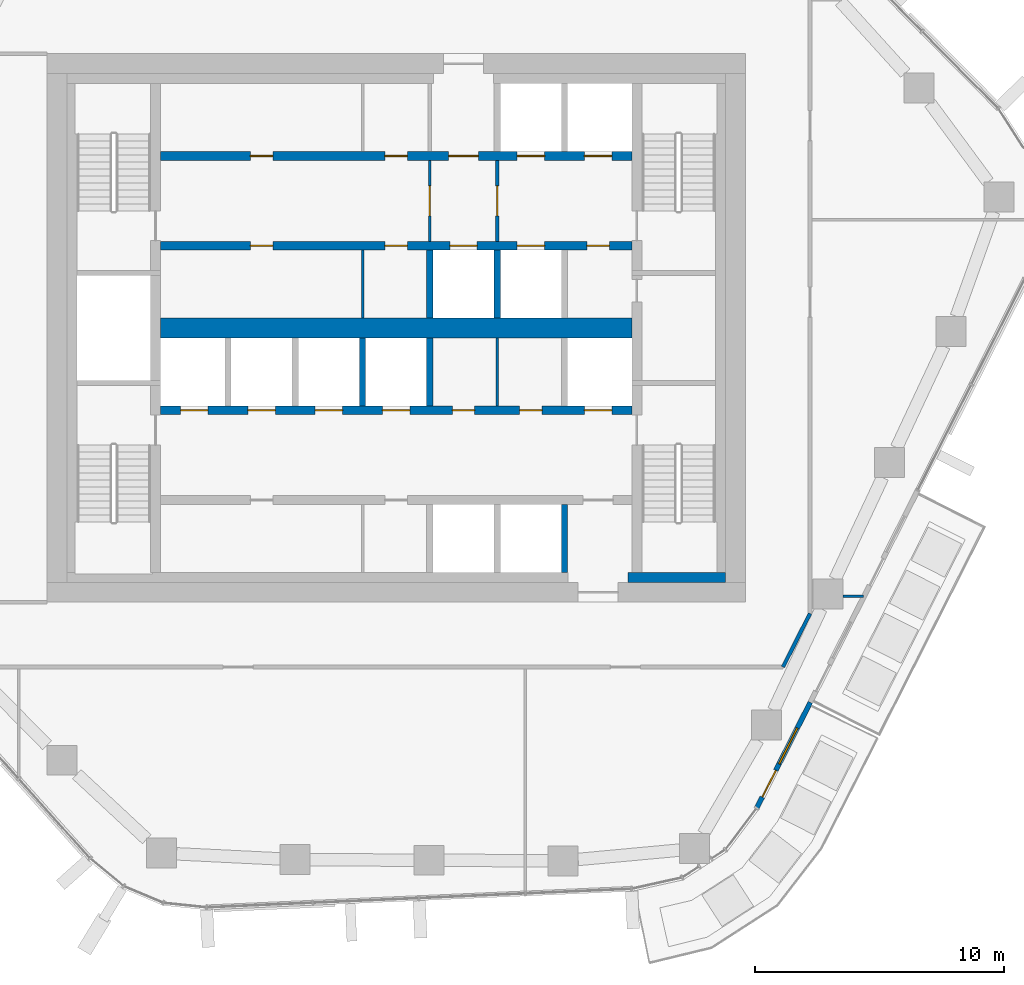
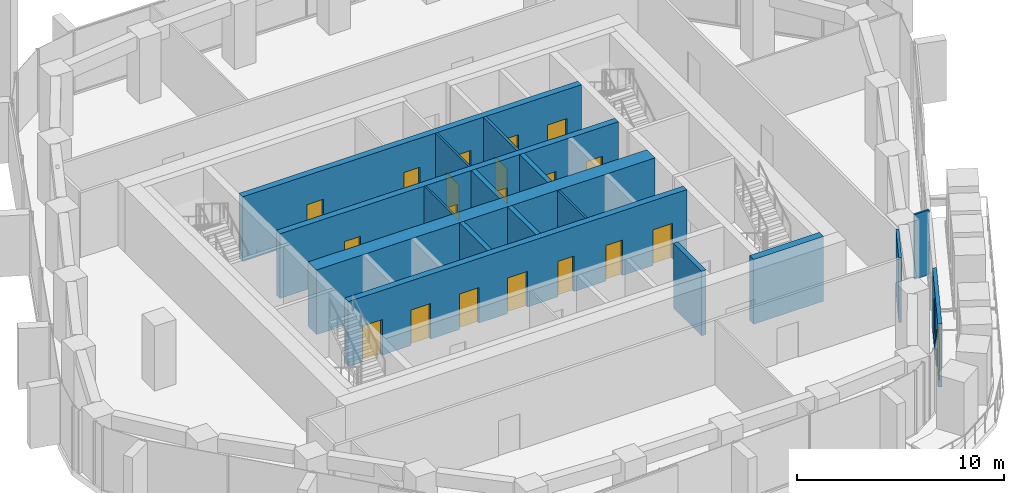
# One storey, part 11 of 18: 20 doors, 17 walls, 1 window, 21 openings.
"""IFC4 building model written with IfcOpenShell, lengths in metres."""

from ifc_helpers import new_model, si_unit, direction, frame, frame_2d, origin, place, context, subcontext, project, spatial, rectangle, extrude, material, layer, layer_set, type_object, element, fill, save


model = new_model("IFC4")

# Units and contexts
model_context = context("Model", 3, precision=1e-05, world=origin(), true_north=direction((0.0, 1.0)))
body_context = subcontext(model_context, "Body", "Model", "MODEL_VIEW")
ifc_project = project(units=[si_unit("LENGTHUNIT", "METRE"), si_unit("AREAUNIT", "SQUARE_METRE"), si_unit("VOLUMEUNIT", "CUBIC_METRE"), si_unit("PLANEANGLEUNIT", "RADIAN"), si_unit("MASSUNIT", "GRAM", prefix="KILO")], contexts=[model_context])

# Site, building, storey
site_placement = place(None, origin())
site = spatial("IfcSite", under=ifc_project, at=site_placement, CompositionType="ELEMENT")
building_placement = place(site_placement, origin())
building = spatial("IfcBuilding", under=site, at=building_placement, Name="Dongbaek Canopy Tower", CompositionType="ELEMENT")
storey_placement = place(building_placement, frame((0.0, 0.0, 171.199951171875)))
storey = spatial("IfcBuildingStorey", under=building, at=storey_placement, Name="L37", CompositionType="ELEMENT", Elevation=171.199951171875)

# Wall
ifc_material_1 = material(Name="Concrete C60/75", Category="concrete")
ifc_layer_1 = layer(ifc_material_1, 0.800048828125)
ifc_layer_set_1 = layer_set([ifc_layer_1], Name="Core central wall 800 Concrete C60/75")
wall_type_1 = type_object("IfcWallType", Name="Core central wall 800 Concrete C60/75", PredefinedType="SHEAR", material=ifc_layer_set_1)
wall_1_placement = place(storey_placement, frame((-9.449951171875, 0.0, 0.0), z_axis=(0.0, 0.0, 1.0), x_axis=(1.0, 0.0, 0.0)))
element("IfcWall", 1, at=wall_1_placement, inside=storey, type_object=wall_type_1, Name="Core wall", PredefinedType="SHEAR", context=body_context, shape_type="SweptSolid", body=[
    extrude(rectangle(XDim=18.89990234375, YDim=0.800048828125, at=frame_2d((9.449951171875, 0.0))), origin(), (0.0, 0.0, 1.0), 3.820068359375),
])

# Wall, openings, doors
ifc_material_2 = material(Name="Concrete C60/75", Category="concrete")
ifc_layer_2 = layer(ifc_material_2, 0.35009765625)
ifc_layer_set_2 = layer_set([ifc_layer_2], Name="Core lobby wall 350 Concrete C60/75")
wall_type_2 = type_object("IfcWallType", Name="Core lobby wall 350 Concrete C60/75", PredefinedType="SHEAR", material=ifc_layer_set_2)
wall_2_placement = place(storey_placement, frame((-9.449951171875, 6.89990234375, 0.0), z_axis=(0.0, 0.0, 1.0), x_axis=(1.0, 0.0, 0.0)))
wall_2 = element("IfcWall", 2, at=wall_2_placement, inside=storey, type_object=wall_type_2, Name="Core wall", PredefinedType="SHEAR", context=body_context, shape_type="SweptSolid", body=[
    extrude(rectangle(XDim=18.89990234375, YDim=0.35009765625, at=frame_2d((9.449951171875, 0.0))), origin(), (0.0, 0.0, 1.0), 3.820068359375),
])
opening_1_placement = place(wall_2_placement, frame((11.550048828125, 0.0, 0.0)))
opening_1 = element("IfcOpeningElement", 3, at=opening_1_placement, cuts=wall_2, Name="Opening L37-D009", PredefinedType="OPENING", context=body_context, shape_type="SweptSolid", body=[
    extrude(rectangle(XDim=1.199951171875, YDim=2.10009765625, at=frame_2d((0.60009765625, 1.050048828125))), frame((0.0, 0.18505859375, 0.0), z_axis=(0.0, -1.0, 0.0), x_axis=(1.0, 0.0, 0.0)), (0.0, 0.0, 1.0), 0.3701171875),
])
opening_2_placement = place(wall_2_placement, frame((14.300048828125, 0.0, 0.0)))
opening_2 = element("IfcOpeningElement", 4, at=opening_2_placement, cuts=wall_2, Name="Opening L37-D010", PredefinedType="OPENING", context=body_context, shape_type="SweptSolid", body=[
    extrude(rectangle(XDim=1.10009765625, YDim=2.10009765625, at=frame_2d((0.550048828125, 1.050048828125))), frame((0.0, 0.18505859375, 0.0), z_axis=(0.0, -1.0, 0.0), x_axis=(1.0, 0.0, 0.0)), (0.0, 0.0, 1.0), 0.3701171875),
])
opening_3_placement = place(wall_2_placement, frame((17.0, 0.0, 0.0)))
opening_3 = element("IfcOpeningElement", 5, at=opening_3_placement, cuts=wall_2, Name="Opening L37-D011", PredefinedType="OPENING", context=body_context, shape_type="SweptSolid", body=[
    extrude(rectangle(XDim=1.10009765625, YDim=2.10009765625, at=frame_2d((0.550048828125, 1.050048828125))), frame((0.0, 0.18505859375, 0.0), z_axis=(0.0, -1.0, 0.0), x_axis=(1.0, 0.0, 0.0)), (0.0, 0.0, 1.0), 0.3701171875),
])
opening_4_placement = place(wall_2_placement, frame((3.60009765625, 0.0, 0.0)))
opening_4 = element("IfcOpeningElement", 6, at=opening_4_placement, cuts=wall_2, Name="Opening L37-D022", PredefinedType="OPENING", context=body_context, shape_type="SweptSolid", body=[
    extrude(rectangle(XDim=0.89990234375, YDim=2.10009765625, at=frame_2d((0.449951171875, 1.050048828125))), frame((0.0, 0.18505859375, 0.0), z_axis=(0.0, -1.0, 0.0), x_axis=(1.0, 0.0, 0.0)), (0.0, 0.0, 1.0), 0.3701171875),
])
opening_5_placement = place(wall_2_placement, frame((9.0, 0.0, 0.0)))
opening_5 = element("IfcOpeningElement", 7, at=opening_5_placement, cuts=wall_2, Name="Opening L37-D023", PredefinedType="OPENING", context=body_context, shape_type="SweptSolid", body=[
    extrude(rectangle(XDim=0.89990234375, YDim=2.10009765625, at=frame_2d((0.449951171875, 1.050048828125))), frame((0.0, 0.18505859375, 0.0), z_axis=(0.0, -1.0, 0.0), x_axis=(1.0, 0.0, 0.0)), (0.0, 0.0, 1.0), 0.3701171875),
])
ifc_material_3 = material(Name="Steel", Category="steel")
door_type_1 = type_object("IfcDoorType", Name="Core room door 900 x 2100", OperationType="SINGLE_SWING_LEFT", PredefinedType="DOOR", material=ifc_material_3)
door_1_placement = place(opening_4_placement, origin())
door_1 = element("IfcDoor", 8, at=door_1_placement, inside=storey, type_object=door_type_1, Name="Door L37-D022", OperationType="SINGLE_SWING_RIGHT", OverallHeight=2.10009765625, OverallWidth=0.89990234375, PredefinedType="DOOR", context=body_context, shape_type="SweptSolid", body=[
    extrude(rectangle(XDim=0.89990234375, YDim=2.10009765625, at=frame_2d((0.449951171875, 1.050048828125))), frame((0.0, 0.02490234375, 0.0), z_axis=(0.0, -1.0, 0.0), x_axis=(1.0, 0.0, 0.0)), (0.0, 0.0, 1.0), 0.050048828125),
])
fill(opening_4, door_1)
door_2_placement = place(opening_5_placement, origin())
door_2 = element("IfcDoor", 9, at=door_2_placement, inside=storey, type_object=door_type_1, Name="Door L37-D023", OperationType="SINGLE_SWING_LEFT", OverallHeight=2.10009765625, OverallWidth=0.89990234375, PredefinedType="DOOR", context=body_context, shape_type="SweptSolid", body=[
    extrude(rectangle(XDim=0.89990234375, YDim=2.10009765625, at=frame_2d((0.449951171875, 1.050048828125))), frame((0.0, 0.02490234375, 0.0), z_axis=(0.0, -1.0, 0.0), x_axis=(1.0, 0.0, 0.0)), (0.0, 0.0, 1.0), 0.050048828125),
])
fill(opening_5, door_2)
ifc_material_4 = material(Name="Steel", Category="steel")
door_type_2 = type_object("IfcDoorType", Name="Fire lobby door 1200 x 2100", OperationType="SINGLE_SWING_LEFT", PredefinedType="DOOR", material=ifc_material_4)
door_3_placement = place(opening_1_placement, origin())
door_3 = element("IfcDoor", 10, at=door_3_placement, inside=storey, type_object=door_type_2, Name="Door L37-D009", OperationType="SINGLE_SWING_LEFT", OverallHeight=2.10009765625, OverallWidth=1.199951171875, PredefinedType="DOOR", context=body_context, shape_type="SweptSolid", body=[
    extrude(rectangle(XDim=1.199951171875, YDim=2.10009765625, at=frame_2d((0.60009765625, 1.050048828125))), frame((0.0, 0.02490234375, 0.0), z_axis=(0.0, -1.0, 0.0), x_axis=(1.0, 0.0, 0.0)), (0.0, 0.0, 1.0), 0.050048828125),
])
fill(opening_1, door_3)
ifc_material_5 = material(Name="Stainless steel", Category="steel")
door_type_3 = type_object("IfcDoorType", Name="Lift landing door 1100 x 2100", OperationType="DOUBLE_DOOR_SLIDING", PredefinedType="DOOR", material=ifc_material_5)
door_4_placement = place(opening_2_placement, origin())
door_4 = element("IfcDoor", 11, at=door_4_placement, inside=storey, type_object=door_type_3, Name="Landing door FF1", OperationType="DOUBLE_DOOR_SLIDING", OverallHeight=2.10009765625, OverallWidth=1.10009765625, PredefinedType="DOOR", context=body_context, shape_type="SweptSolid", body=[
    extrude(rectangle(XDim=1.10009765625, YDim=2.10009765625, at=frame_2d((0.550048828125, 1.050048828125))), frame((0.0, 0.02490234375, 0.0), z_axis=(0.0, -1.0, 0.0), x_axis=(1.0, 0.0, 0.0)), (0.0, 0.0, 1.0), 0.050048828125),
])
fill(opening_2, door_4)
door_5_placement = place(opening_3_placement, origin())
door_5 = element("IfcDoor", 12, at=door_5_placement, inside=storey, type_object=door_type_3, Name="Landing door FF2", OperationType="DOUBLE_DOOR_SLIDING", OverallHeight=2.10009765625, OverallWidth=1.10009765625, PredefinedType="DOOR", context=body_context, shape_type="SweptSolid", body=[
    extrude(rectangle(XDim=1.10009765625, YDim=2.10009765625, at=frame_2d((0.550048828125, 1.050048828125))), frame((0.0, 0.02490234375, 0.0), z_axis=(0.0, -1.0, 0.0), x_axis=(1.0, 0.0, 0.0)), (0.0, 0.0, 1.0), 0.050048828125),
])
fill(opening_3, door_5)

wall_3_placement = place(storey_placement, frame((9.449951171875, 3.300048828125, 0.0), z_axis=(0.0, 0.0, 1.0), x_axis=(-1.0, 0.0, 0.0)))
wall_3 = element("IfcWall", 13, at=wall_3_placement, inside=storey, type_object=wall_type_2, Name="Core wall", PredefinedType="SHEAR", context=body_context, shape_type="SweptSolid", body=[
    extrude(rectangle(XDim=18.89990234375, YDim=0.35009765625, at=frame_2d((9.449951171875, 0.0))), origin(), (0.0, 0.0, 1.0), 3.820068359375),
])
opening_6_placement = place(wall_3_placement, frame((6.199951171875, 0.0, 0.0)))
opening_6 = element("IfcOpeningElement", 14, at=opening_6_placement, cuts=wall_3, Name="Opening L37-D012", PredefinedType="OPENING", context=body_context, shape_type="SweptSolid", body=[
    extrude(rectangle(XDim=1.10009765625, YDim=2.10009765625, at=frame_2d((0.550048828125, 1.050048828125))), frame((0.0, 0.18505859375, 0.0), z_axis=(0.0, -1.0, 0.0), x_axis=(1.0, 0.0, 0.0)), (0.0, 0.0, 1.0), 0.3701171875),
])
opening_7_placement = place(wall_3_placement, frame((3.5, 0.0, 0.0)))
opening_7 = element("IfcOpeningElement", 15, at=opening_7_placement, cuts=wall_3, Name="Opening L37-D013", PredefinedType="OPENING", context=body_context, shape_type="SweptSolid", body=[
    extrude(rectangle(XDim=1.10009765625, YDim=2.10009765625, at=frame_2d((0.550048828125, 1.050048828125))), frame((0.0, 0.18505859375, 0.0), z_axis=(0.0, -1.0, 0.0), x_axis=(1.0, 0.0, 0.0)), (0.0, 0.0, 1.0), 0.3701171875),
])
opening_8_placement = place(wall_3_placement, frame((0.89990234375, 0.0, 0.0)))
opening_8 = element("IfcOpeningElement", 16, at=opening_8_placement, cuts=wall_3, Name="Opening L37-D014", PredefinedType="OPENING", context=body_context, shape_type="SweptSolid", body=[
    extrude(rectangle(XDim=0.89990234375, YDim=2.10009765625, at=frame_2d((0.449951171875, 1.050048828125))), frame((0.0, 0.18505859375, 0.0), z_axis=(0.0, -1.0, 0.0), x_axis=(1.0, 0.0, 0.0)), (0.0, 0.0, 1.0), 0.3701171875),
])
opening_9_placement = place(wall_3_placement, frame((14.39990234375, 0.0, 0.0)))
opening_9 = element("IfcOpeningElement", 17, at=opening_9_placement, cuts=wall_3, Name="Opening L37-D024", PredefinedType="OPENING", context=body_context, shape_type="SweptSolid", body=[
    extrude(rectangle(XDim=0.89990234375, YDim=2.10009765625, at=frame_2d((0.449951171875, 1.050048828125))), frame((0.0, 0.18505859375, 0.0), z_axis=(0.0, -1.0, 0.0), x_axis=(1.0, 0.0, 0.0)), (0.0, 0.0, 1.0), 0.3701171875),
])
opening_10_placement = place(wall_3_placement, frame((9.0, 0.0, 0.0)))
opening_10 = element("IfcOpeningElement", 18, at=opening_10_placement, cuts=wall_3, Name="Opening L37-D025", PredefinedType="OPENING", context=body_context, shape_type="SweptSolid", body=[
    extrude(rectangle(XDim=0.89990234375, YDim=2.10009765625, at=frame_2d((0.449951171875, 1.050048828125))), frame((0.0, 0.18505859375, 0.0), z_axis=(0.0, -1.0, 0.0), x_axis=(1.0, 0.0, 0.0)), (0.0, 0.0, 1.0), 0.3701171875),
])
door_6_placement = place(opening_8_placement, origin())
door_6 = element("IfcDoor", 19, at=door_6_placement, inside=storey, type_object=door_type_1, Name="Door L37-D014", OperationType="SINGLE_SWING_LEFT", OverallHeight=2.10009765625, OverallWidth=0.89990234375, PredefinedType="DOOR", context=body_context, shape_type="SweptSolid", body=[
    extrude(rectangle(XDim=0.89990234375, YDim=2.10009765625, at=frame_2d((0.449951171875, 1.050048828125))), frame((0.0, 0.02490234375, 0.0), z_axis=(0.0, -1.0, 0.0), x_axis=(1.0, 0.0, 0.0)), (0.0, 0.0, 1.0), 0.050048828125),
])
fill(opening_8, door_6)
door_7_placement = place(opening_9_placement, origin())
door_7 = element("IfcDoor", 20, at=door_7_placement, inside=storey, type_object=door_type_1, Name="Door L37-D024", OperationType="SINGLE_SWING_RIGHT", OverallHeight=2.10009765625, OverallWidth=0.89990234375, PredefinedType="DOOR", context=body_context, shape_type="SweptSolid", body=[
    extrude(rectangle(XDim=0.89990234375, YDim=2.10009765625, at=frame_2d((0.449951171875, 1.050048828125))), frame((0.0, 0.02490234375, 0.0), z_axis=(0.0, -1.0, 0.0), x_axis=(1.0, 0.0, 0.0)), (0.0, 0.0, 1.0), 0.050048828125),
])
fill(opening_9, door_7)
door_8_placement = place(opening_10_placement, origin())
door_8 = element("IfcDoor", 21, at=door_8_placement, inside=storey, type_object=door_type_1, Name="Door L37-D025", OperationType="SINGLE_SWING_LEFT", OverallHeight=2.10009765625, OverallWidth=0.89990234375, PredefinedType="DOOR", context=body_context, shape_type="SweptSolid", body=[
    extrude(rectangle(XDim=0.89990234375, YDim=2.10009765625, at=frame_2d((0.449951171875, 1.050048828125))), frame((0.0, 0.02490234375, 0.0), z_axis=(0.0, -1.0, 0.0), x_axis=(1.0, 0.0, 0.0)), (0.0, 0.0, 1.0), 0.050048828125),
])
fill(opening_10, door_8)
door_9_placement = place(opening_6_placement, origin())
door_9 = element("IfcDoor", 22, at=door_9_placement, inside=storey, type_object=door_type_3, Name="Landing door SV1", OperationType="DOUBLE_DOOR_SLIDING", OverallHeight=2.10009765625, OverallWidth=1.10009765625, PredefinedType="DOOR", context=body_context, shape_type="SweptSolid", body=[
    extrude(rectangle(XDim=1.10009765625, YDim=2.10009765625, at=frame_2d((0.550048828125, 1.050048828125))), frame((0.0, 0.02490234375, 0.0), z_axis=(0.0, -1.0, 0.0), x_axis=(1.0, 0.0, 0.0)), (0.0, 0.0, 1.0), 0.050048828125),
])
fill(opening_6, door_9)
door_10_placement = place(opening_7_placement, origin())
door_10 = element("IfcDoor", 23, at=door_10_placement, inside=storey, type_object=door_type_3, Name="Landing door FF3", OperationType="DOUBLE_DOOR_SLIDING", OverallHeight=2.10009765625, OverallWidth=1.10009765625, PredefinedType="DOOR", context=body_context, shape_type="SweptSolid", body=[
    extrude(rectangle(XDim=1.10009765625, YDim=2.10009765625, at=frame_2d((0.550048828125, 1.050048828125))), frame((0.0, 0.02490234375, 0.0), z_axis=(0.0, -1.0, 0.0), x_axis=(1.0, 0.0, 0.0)), (0.0, 0.0, 1.0), 0.050048828125),
])
fill(opening_7, door_10)

wall_4_placement = place(storey_placement, frame((-9.449951171875, -3.300048828125, 0.0), z_axis=(0.0, 0.0, 1.0), x_axis=(1.0, 0.0, 0.0)))
wall_4 = element("IfcWall", 24, at=wall_4_placement, inside=storey, type_object=wall_type_2, Name="Core wall", PredefinedType="SHEAR", context=body_context, shape_type="SweptSolid", body=[
    extrude(rectangle(XDim=18.89990234375, YDim=0.35009765625, at=frame_2d((9.449951171875, 0.0))), origin(), (0.0, 0.0, 1.0), 3.820068359375),
])
opening_11_placement = place(wall_4_placement, frame((0.800048828125, 0.0, 0.0)))
opening_11 = element("IfcOpeningElement", 25, at=opening_11_placement, cuts=wall_4, Name="Opening L37-D015", PredefinedType="OPENING", context=body_context, shape_type="SweptSolid", body=[
    extrude(rectangle(XDim=1.10009765625, YDim=2.10009765625, at=frame_2d((0.550048828125, 1.050048828125))), frame((0.0, 0.18505859375, 0.0), z_axis=(0.0, -1.0, 0.0), x_axis=(1.0, 0.0, 0.0)), (0.0, 0.0, 1.0), 0.3701171875),
])
opening_12_placement = place(wall_4_placement, frame((3.5, 0.0, 0.0)))
opening_12 = element("IfcOpeningElement", 26, at=opening_12_placement, cuts=wall_4, Name="Opening L37-D016", PredefinedType="OPENING", context=body_context, shape_type="SweptSolid", body=[
    extrude(rectangle(XDim=1.10009765625, YDim=2.10009765625, at=frame_2d((0.550048828125, 1.050048828125))), frame((0.0, 0.18505859375, 0.0), z_axis=(0.0, -1.0, 0.0), x_axis=(1.0, 0.0, 0.0)), (0.0, 0.0, 1.0), 0.3701171875),
])
opening_13_placement = place(wall_4_placement, frame((6.199951171875, 0.0, 0.0)))
opening_13 = element("IfcOpeningElement", 27, at=opening_13_placement, cuts=wall_4, Name="Opening L37-D017", PredefinedType="OPENING", context=body_context, shape_type="SweptSolid", body=[
    extrude(rectangle(XDim=1.10009765625, YDim=2.10009765625, at=frame_2d((0.550048828125, 1.050048828125))), frame((0.0, 0.18505859375, 0.0), z_axis=(0.0, -1.0, 0.0), x_axis=(1.0, 0.0, 0.0)), (0.0, 0.0, 1.0), 0.3701171875),
])
opening_14_placement = place(wall_4_placement, frame((8.89990234375, 0.0, 0.0)))
opening_14 = element("IfcOpeningElement", 28, at=opening_14_placement, cuts=wall_4, Name="Opening L37-D018", PredefinedType="OPENING", context=body_context, shape_type="SweptSolid", body=[
    extrude(rectangle(XDim=1.10009765625, YDim=2.10009765625, at=frame_2d((0.550048828125, 1.050048828125))), frame((0.0, 0.18505859375, 0.0), z_axis=(0.0, -1.0, 0.0), x_axis=(1.0, 0.0, 0.0)), (0.0, 0.0, 1.0), 0.3701171875),
])
opening_15_placement = place(wall_4_placement, frame((17.0, 0.0, 0.0)))
opening_15 = element("IfcOpeningElement", 29, at=opening_15_placement, cuts=wall_4, Name="Opening L37-D019", PredefinedType="OPENING", context=body_context, shape_type="SweptSolid", body=[
    extrude(rectangle(XDim=1.10009765625, YDim=2.10009765625, at=frame_2d((0.550048828125, 1.050048828125))), frame((0.0, 0.18505859375, 0.0), z_axis=(0.0, -1.0, 0.0), x_axis=(1.0, 0.0, 0.0)), (0.0, 0.0, 1.0), 0.3701171875),
])
opening_16_placement = place(wall_4_placement, frame((11.699951171875, 0.0, 0.0)))
opening_16 = element("IfcOpeningElement", 30, at=opening_16_placement, cuts=wall_4, Name="Opening L37-D026", PredefinedType="OPENING", context=body_context, shape_type="SweptSolid", body=[
    extrude(rectangle(XDim=0.89990234375, YDim=2.10009765625, at=frame_2d((0.449951171875, 1.050048828125))), frame((0.0, 0.18505859375, 0.0), z_axis=(0.0, -1.0, 0.0), x_axis=(1.0, 0.0, 0.0)), (0.0, 0.0, 1.0), 0.3701171875),
])
opening_17_placement = place(wall_4_placement, frame((14.39990234375, 0.0, 0.0)))
opening_17 = element("IfcOpeningElement", 31, at=opening_17_placement, cuts=wall_4, Name="Opening L37-D027", PredefinedType="OPENING", context=body_context, shape_type="SweptSolid", body=[
    extrude(rectangle(XDim=0.89990234375, YDim=2.10009765625, at=frame_2d((0.449951171875, 1.050048828125))), frame((0.0, 0.18505859375, 0.0), z_axis=(0.0, -1.0, 0.0), x_axis=(1.0, 0.0, 0.0)), (0.0, 0.0, 1.0), 0.3701171875),
])
door_11_placement = place(opening_16_placement, origin())
door_11 = element("IfcDoor", 32, at=door_11_placement, inside=storey, type_object=door_type_1, Name="Door L37-D026", OperationType="SINGLE_SWING_RIGHT", OverallHeight=2.10009765625, OverallWidth=0.89990234375, PredefinedType="DOOR", context=body_context, shape_type="SweptSolid", body=[
    extrude(rectangle(XDim=0.89990234375, YDim=2.10009765625, at=frame_2d((0.449951171875, 1.050048828125))), frame((0.0, 0.02490234375, 0.0), z_axis=(0.0, -1.0, 0.0), x_axis=(1.0, 0.0, 0.0)), (0.0, 0.0, 1.0), 0.050048828125),
])
fill(opening_16, door_11)
door_12_placement = place(opening_17_placement, origin())
door_12 = element("IfcDoor", 33, at=door_12_placement, inside=storey, type_object=door_type_1, Name="Door L37-D027", OperationType="SINGLE_SWING_LEFT", OverallHeight=2.10009765625, OverallWidth=0.89990234375, PredefinedType="DOOR", context=body_context, shape_type="SweptSolid", body=[
    extrude(rectangle(XDim=0.89990234375, YDim=2.10009765625, at=frame_2d((0.449951171875, 1.050048828125))), frame((0.0, 0.02490234375, 0.0), z_axis=(0.0, -1.0, 0.0), x_axis=(1.0, 0.0, 0.0)), (0.0, 0.0, 1.0), 0.050048828125),
])
fill(opening_17, door_12)
door_13_placement = place(opening_11_placement, origin())
door_13 = element("IfcDoor", 34, at=door_13_placement, inside=storey, type_object=door_type_3, Name="Landing door MR1", OperationType="DOUBLE_DOOR_SLIDING", OverallHeight=2.10009765625, OverallWidth=1.10009765625, PredefinedType="DOOR", context=body_context, shape_type="SweptSolid", body=[
    extrude(rectangle(XDim=1.10009765625, YDim=2.10009765625, at=frame_2d((0.550048828125, 1.050048828125))), frame((0.0, 0.02490234375, 0.0), z_axis=(0.0, -1.0, 0.0), x_axis=(1.0, 0.0, 0.0)), (0.0, 0.0, 1.0), 0.050048828125),
])
fill(opening_11, door_13)
door_14_placement = place(opening_12_placement, origin())
door_14 = element("IfcDoor", 35, at=door_14_placement, inside=storey, type_object=door_type_3, Name="Landing door MR2", OperationType="DOUBLE_DOOR_SLIDING", OverallHeight=2.10009765625, OverallWidth=1.10009765625, PredefinedType="DOOR", context=body_context, shape_type="SweptSolid", body=[
    extrude(rectangle(XDim=1.10009765625, YDim=2.10009765625, at=frame_2d((0.550048828125, 1.050048828125))), frame((0.0, 0.02490234375, 0.0), z_axis=(0.0, -1.0, 0.0), x_axis=(1.0, 0.0, 0.0)), (0.0, 0.0, 1.0), 0.050048828125),
])
fill(opening_12, door_14)
door_15_placement = place(opening_13_placement, origin())
door_15 = element("IfcDoor", 36, at=door_15_placement, inside=storey, type_object=door_type_3, Name="Landing door MR3", OperationType="DOUBLE_DOOR_SLIDING", OverallHeight=2.10009765625, OverallWidth=1.10009765625, PredefinedType="DOOR", context=body_context, shape_type="SweptSolid", body=[
    extrude(rectangle(XDim=1.10009765625, YDim=2.10009765625, at=frame_2d((0.550048828125, 1.050048828125))), frame((0.0, 0.02490234375, 0.0), z_axis=(0.0, -1.0, 0.0), x_axis=(1.0, 0.0, 0.0)), (0.0, 0.0, 1.0), 0.050048828125),
])
fill(opening_13, door_15)
door_16_placement = place(opening_14_placement, origin())
door_16 = element("IfcDoor", 37, at=door_16_placement, inside=storey, type_object=door_type_3, Name="Landing door MR4", OperationType="DOUBLE_DOOR_SLIDING", OverallHeight=2.10009765625, OverallWidth=1.10009765625, PredefinedType="DOOR", context=body_context, shape_type="SweptSolid", body=[
    extrude(rectangle(XDim=1.10009765625, YDim=2.10009765625, at=frame_2d((0.550048828125, 1.050048828125))), frame((0.0, 0.02490234375, 0.0), z_axis=(0.0, -1.0, 0.0), x_axis=(1.0, 0.0, 0.0)), (0.0, 0.0, 1.0), 0.050048828125),
])
fill(opening_14, door_16)
door_17_placement = place(opening_15_placement, origin())
door_17 = element("IfcDoor", 38, at=door_17_placement, inside=storey, type_object=door_type_3, Name="Landing door SV2", OperationType="DOUBLE_DOOR_SLIDING", OverallHeight=2.10009765625, OverallWidth=1.10009765625, PredefinedType="DOOR", context=body_context, shape_type="SweptSolid", body=[
    extrude(rectangle(XDim=1.10009765625, YDim=2.10009765625, at=frame_2d((0.550048828125, 1.050048828125))), frame((0.0, 0.02490234375, 0.0), z_axis=(0.0, -1.0, 0.0), x_axis=(1.0, 0.0, 0.0)), (0.0, 0.0, 1.0), 0.050048828125),
])
fill(opening_15, door_17)

# Walls
ifc_material_6 = material(Name="Concrete C60/75", Category="concrete")
ifc_layer_3 = layer(ifc_material_6, 0.39990234375)
ifc_layer_set_3 = layer_set([ifc_layer_3], Name="Core wall lining 400 Concrete C60/75")
wall_type_3 = type_object("IfcWallType", Name="Core wall lining 400 Concrete C60/75", PredefinedType="SHEAR", material=ifc_layer_set_3)
wall_5_placement = place(storey_placement, frame((13.199951171875, -10.0, 0.0), z_axis=(0.0, 0.0, 1.0), x_axis=(-1.0, 0.0, 0.0)))
element("IfcWall", 39, at=wall_5_placement, inside=storey, type_object=wall_type_3, Name="Core wall lining", PredefinedType="SHEAR", context=body_context, shape_type="SweptSolid", body=[
    extrude(rectangle(XDim=3.89990234375, YDim=0.39990234375, at=frame_2d((1.949951171875, 0.0))), origin(), (0.0, 0.0, 1.0), 3.820068359375),
])
ifc_material_7 = material(Name="Gypsum board partition, steel stud, 2 x 15 mm fire board", Category="steel")
ifc_layer_4 = layer(ifc_material_7, 0.14990234375)
ifc_layer_set_4 = layer_set([ifc_layer_4], Name="Fire-rated partition 150 gypsum board")
wall_type_4 = type_object("IfcWallType", Name="Fire-rated partition 150 gypsum board", PredefinedType="PARTITIONING", material=ifc_layer_set_4)
wall_6_placement = place(storey_placement, frame((15.5107421875, -13.60009765625, 0.0), z_axis=(0.0, 0.0, 1.0), x_axis=(0.45198735735, 0.892024343163, 0.0)))
element("IfcWall", 40, at=wall_6_placement, inside=storey, type_object=wall_type_4, Name="Corridor partition", PredefinedType="PARTITIONING", context=body_context, shape_type="SweptSolid", body=[
    extrude(rectangle(XDim=2.41064453125, YDim=0.14990234375, at=frame_2d((1.205322265625, 0.0))), origin(), (0.0, 0.0, 1.0), 3.820068359375),
])

# Wall, opening, door
wall_7_placement = place(storey_placement, frame((4.050048828125, 6.72509765625, 0.0), z_axis=(0.0, 0.0, 1.0), x_axis=(0.0, -1.0, 0.0)))
wall_7 = element("IfcWall", 41, at=wall_7_placement, inside=storey, type_object=wall_type_4, Name="Fire lobby partition", PredefinedType="PARTITIONING", context=body_context, shape_type="SweptSolid", body=[
    extrude(rectangle(XDim=3.25, YDim=0.14990234375, at=frame_2d((1.625, 0.0))), origin(), (0.0, 0.0, 1.0), 3.820068359375),
])
opening_18_placement = place(wall_7_placement, frame((1.02490234375, 0.0, 0.0)))
opening_18 = element("IfcOpeningElement", 42, at=opening_18_placement, cuts=wall_7, Name="Opening L37-D035", PredefinedType="OPENING", context=body_context, shape_type="SweptSolid", body=[
    extrude(rectangle(XDim=1.199951171875, YDim=2.10009765625, at=frame_2d((0.60009765625, 1.050048828125))), frame((0.0, 0.0849609375, 0.0), z_axis=(0.0, -1.0, 0.0), x_axis=(1.0, 0.0, 0.0)), (0.0, 0.0, 1.0), 0.169921875),
])
door_18_placement = place(opening_18_placement, origin())
door_18 = element("IfcDoor", 43, at=door_18_placement, inside=storey, type_object=door_type_2, Name="Door L37-D035", OperationType="SINGLE_SWING_RIGHT", OverallHeight=2.10009765625, OverallWidth=1.199951171875, PredefinedType="DOOR", context=body_context, shape_type="SweptSolid", body=[
    extrude(rectangle(XDim=1.199951171875, YDim=2.10009765625, at=frame_2d((0.60009765625, 1.050048828125))), frame((0.0, 0.02490234375, 0.0), z_axis=(0.0, -1.0, 0.0), x_axis=(1.0, 0.0, 0.0)), (0.0, 0.0, 1.0), 0.050048828125),
])
fill(opening_18, door_18)

# Walls
ifc_material_8 = material(Name="Concrete C40/50", Category="concrete")
ifc_layer_5 = layer(ifc_material_8, 0.25)
ifc_layer_set_5 = layer_set([ifc_layer_5], Name="Lift shaft wall 250 Concrete C40/50")
wall_type_5 = type_object("IfcWallType", Name="Lift shaft wall 250 Concrete C40/50", PredefinedType="SOLIDWALL", material=ifc_layer_set_5)
for number, where, z_axis, x_axis, name in (
    (44, (6.75, -9.800048828125, 0.0), (0.0, 0.0, 1.0), (0.0, 1.0, 0.0), "Lift shaft wall"),
    (45, (4.050048828125, 0.39990234375, 0.0), (0.0, 0.0, 1.0), (0.0, 1.0, 0.0), "Lift shaft wall"),
    (46, (1.35009765625, -3.125, 0.0), (0.0, 0.0, 1.0), (0.0, 1.0, 0.0), "Lift shaft wall"),
    (47, (1.35009765625, 0.39990234375, 0.0), (0.0, 0.0, 1.0), (0.0, 1.0, 0.0), "Lift shaft wall"),
    (48, (-1.35009765625, -3.125, 0.0), (0.0, 0.0, 1.0), (0.0, 1.0, 0.0), "Lift shaft wall"),
):
    element("IfcWall", number, at=place(storey_placement, frame(where, z_axis=z_axis, x_axis=x_axis)), inside=storey, type_object=wall_type_5, Name=name, PredefinedType="SOLIDWALL", context=body_context, shape_type="SweptSolid", body=[
        extrude(rectangle(XDim=2.72509765625, YDim=0.25, at=frame_2d((1.362548828125, 0.0))), origin(), (0.0, 0.0, 1.0), 3.820068359375),
    ])
ifc_material_9 = material(Name="Gypsum board partition, steel stud, 2 x 12.5 mm board", Category="steel")
ifc_layer_6 = layer(ifc_material_9, 0.10009765625)
ifc_layer_set_6 = layer_set([ifc_layer_6], Name="Partition 100 gypsum board")
wall_type_6 = type_object("IfcWallType", Name="Partition 100 gypsum board", PredefinedType="PARTITIONING", material=ifc_layer_set_6)
wall_8_placement = place(storey_placement, frame((17.922119140625, -10.76806640625, 0.0), z_axis=(0.0, 0.0, 1.0), x_axis=(1.0, 0.0, 0.0)))
element("IfcWall", 49, at=wall_8_placement, inside=storey, type_object=wall_type_6, Name="Partition", PredefinedType="PARTITIONING", context=body_context, shape_type="SweptSolid", body=[
    extrude(rectangle(XDim=0.817138671875, YDim=0.10009765625, at=frame_2d((0.40869140625, 0.0))), origin(), (0.0, 0.0, 1.0), 3.820068359375),
])
wall_9_placement = place(storey_placement, frame((4.050048828125, -3.125, 0.0), z_axis=(0.0, 0.0, 1.0), x_axis=(0.0, 1.0, 0.0)))
element("IfcWall", 50, at=wall_9_placement, inside=storey, type_object=wall_type_6, Name="Core partition", PredefinedType="PARTITIONING", context=body_context, shape_type="SweptSolid", body=[
    extrude(rectangle(XDim=2.72509765625, YDim=0.10009765625, at=frame_2d((1.362548828125, 0.0))), origin(), (0.0, 0.0, 1.0), 3.820068359375),
])

# Wall, opening, door
wall_10_placement = place(storey_placement, frame((1.35009765625, 6.72509765625, 0.0), z_axis=(0.0, 0.0, 1.0), x_axis=(0.0, -1.0, 0.0)))
wall_10 = element("IfcWall", 51, at=wall_10_placement, inside=storey, type_object=wall_type_6, Name="Core partition", PredefinedType="PARTITIONING", context=body_context, shape_type="SweptSolid", body=[
    extrude(rectangle(XDim=3.25, YDim=0.10009765625, at=frame_2d((1.625, 0.0))), origin(), (0.0, 0.0, 1.0), 3.820068359375),
])
opening_19_placement = place(wall_10_placement, frame((1.02490234375, 0.0, 0.0)))
opening_19 = element("IfcOpeningElement", 52, at=opening_19_placement, cuts=wall_10, Name="Opening L37-D034", PredefinedType="OPENING", context=body_context, shape_type="SweptSolid", body=[
    extrude(rectangle(XDim=1.199951171875, YDim=2.10009765625, at=frame_2d((0.60009765625, 1.050048828125))), frame((0.0, 0.06005859375, 0.0), z_axis=(0.0, -1.0, 0.0), x_axis=(1.0, 0.0, 0.0)), (0.0, 0.0, 1.0), 0.1201171875),
])
door_19_placement = place(opening_19_placement, origin())
door_19 = element("IfcDoor", 53, at=door_19_placement, inside=storey, type_object=door_type_2, Name="Door L37-D034", OperationType="SINGLE_SWING_LEFT", OverallHeight=2.10009765625, OverallWidth=1.199951171875, PredefinedType="DOOR", context=body_context, shape_type="SweptSolid", body=[
    extrude(rectangle(XDim=1.199951171875, YDim=2.10009765625, at=frame_2d((0.60009765625, 1.050048828125))), frame((0.0, 0.02490234375, 0.0), z_axis=(0.0, -1.0, 0.0), x_axis=(1.0, 0.0, 0.0)), (0.0, 0.0, 1.0), 0.050048828125),
])
fill(opening_19, door_19)

# Wall
wall_11_placement = place(storey_placement, frame((-1.35009765625, 0.39990234375, 0.0), z_axis=(0.0, 0.0, 1.0), x_axis=(0.0, 1.0, 0.0)))
element("IfcWall", 54, at=wall_11_placement, inside=storey, type_object=wall_type_6, Name="Core partition", PredefinedType="PARTITIONING", context=body_context, shape_type="SweptSolid", body=[
    extrude(rectangle(XDim=2.72509765625, YDim=0.10009765625, at=frame_2d((1.362548828125, 0.0))), origin(), (0.0, 0.0, 1.0), 3.820068359375),
])

# Wall, openings, door, window
ifc_material_10 = material(Name="Aluminium window wall", Category="aluminium")
ifc_layer_7 = layer(ifc_material_10, 0.199951171875)
ifc_layer_set_7 = layer_set([ifc_layer_7], Name="Window wall 200")
wall_type_7 = type_object("IfcWallType", Name="Window wall 200", PredefinedType="SOLIDWALL", material=ifc_layer_set_7)
wall_12_placement = place(storey_placement, frame((14.4580078125, -19.2607421875, 0.0), z_axis=(0.0, 0.0, 1.0), x_axis=(0.452011627796, 0.892012044951, 0.0)))
wall_12 = element("IfcWall", 55, at=wall_12_placement, inside=storey, type_object=wall_type_7, Name="Window wall L37 2", PredefinedType="SOLIDWALL", context=body_context, shape_type="SweptSolid", body=[
    extrude(rectangle(XDim=4.75634765625, YDim=0.199951171875, at=frame_2d((2.378173828125, 0.0))), origin(), (0.0, 0.0, 1.0), 3.699951171875),
])
opening_20_placement = place(wall_12_placement, frame((2.0, 0.0, 0.60009765625)))
opening_20 = element("IfcOpeningElement", 56, at=opening_20_placement, cuts=wall_12, Name="Opening W1", PredefinedType="OPENING", context=body_context, shape_type="SweptSolid", body=[
    extrude(rectangle(XDim=1.60009765625, YDim=2.39990234375, at=frame_2d((0.800048828125, 1.199951171875))), frame((0.0, 0.10986328125, 0.0), z_axis=(0.0, -1.0, 0.0), x_axis=(1.0, 0.0, 0.0)), (0.0, 0.0, 1.0), 0.219970703125),
])
opening_21_placement = place(wall_12_placement, frame((0.5, 0.0, 0.0)))
opening_21 = element("IfcOpeningElement", 57, at=opening_21_placement, cuts=wall_12, Name="Opening L37-B03", PredefinedType="OPENING", context=body_context, shape_type="SweptSolid", body=[
    extrude(rectangle(XDim=1.199951171875, YDim=2.39990234375, at=frame_2d((0.60009765625, 1.199951171875))), frame((0.0, 0.10986328125, 0.0), z_axis=(0.0, -1.0, 0.0), x_axis=(1.0, 0.0, 0.0)), (0.0, 0.0, 1.0), 0.219970703125),
])
ifc_material_11 = material(Name="Clear glazing in aluminium frame", Category="aluminium")
door_type_4 = type_object("IfcDoorType", Name="Balcony door BD1 1200 x 2400", OperationType="SLIDING_TO_LEFT", PredefinedType="DOOR", material=ifc_material_11)
door_20_placement = place(opening_21_placement, origin())
door_20 = element("IfcDoor", 58, at=door_20_placement, inside=storey, type_object=door_type_4, Name="Balcony door L37-B03", OperationType="SLIDING_TO_LEFT", OverallHeight=2.39990234375, OverallWidth=1.199951171875, PredefinedType="DOOR", context=body_context, shape_type="SweptSolid", body=[
    extrude(rectangle(XDim=1.199951171875, YDim=2.39990234375, at=frame_2d((0.60009765625, 1.199951171875))), frame((0.0, 0.02490234375, 0.0), z_axis=(0.0, -1.0, 0.0), x_axis=(1.0, 0.0, 0.0)), (0.0, 0.0, 1.0), 0.050048828125),
])
fill(opening_21, door_20)
ifc_material_12 = material(Name="Clear glazing in aluminium frame", Category="aluminium")
window_type = type_object("IfcWindowType", Name="Window W1 1600 x 2400", PartitioningType="SINGLE_PANEL", PredefinedType="WINDOW", material=ifc_material_12)
window_placement = place(opening_20_placement, origin())
window = element("IfcWindow", 59, at=window_placement, inside=storey, type_object=window_type, Name="Window L37 2.1", OverallHeight=2.39990234375, OverallWidth=1.60009765625, PartitioningType="SINGLE_PANEL", PredefinedType="WINDOW", context=body_context, shape_type="SweptSolid", body=[
    extrude(rectangle(XDim=1.60009765625, YDim=2.39990234375, at=frame_2d((0.800048828125, 1.199951171875))), frame((0.0, 0.030029296875, 0.0), z_axis=(0.0, -1.0, 0.0), x_axis=(1.0, 0.0, 0.0)), (0.0, 0.0, 1.0), 0.06005859375),
])
fill(opening_20, window)

save(model, "model.ifc")
